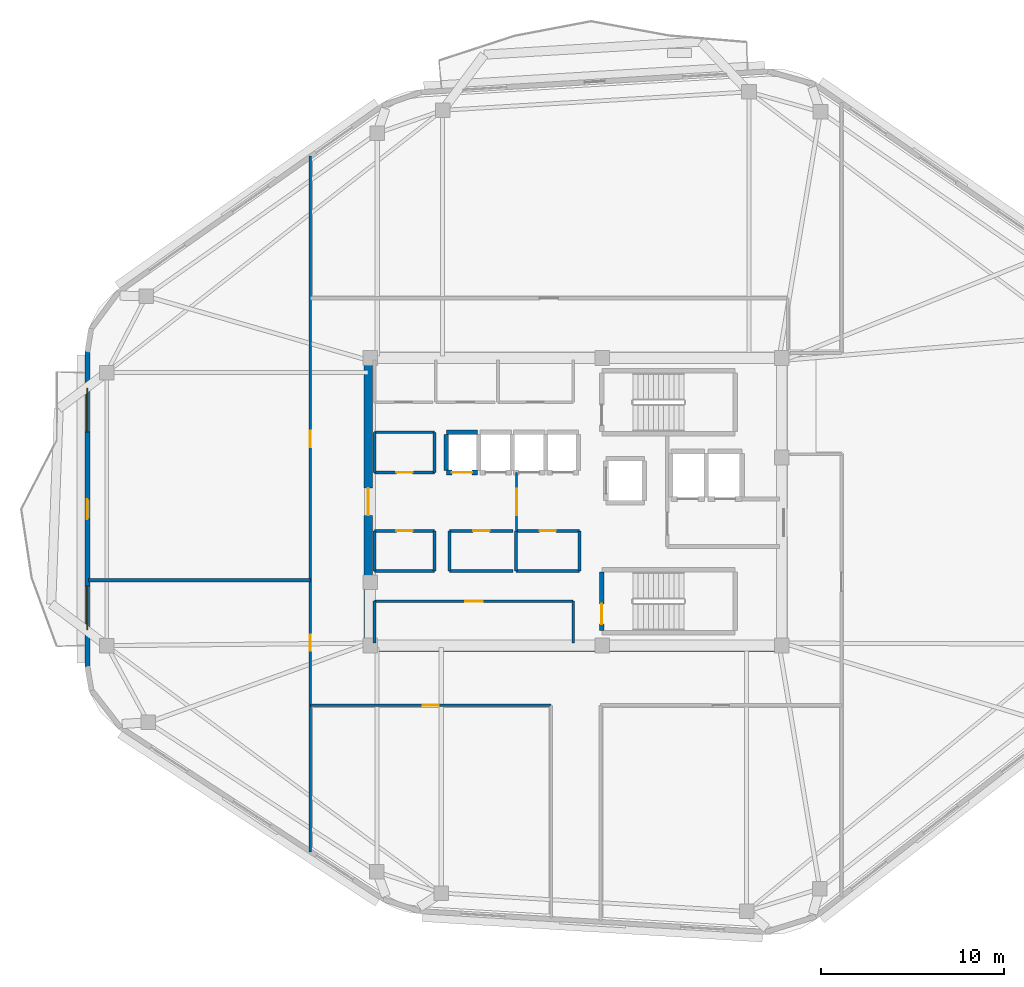
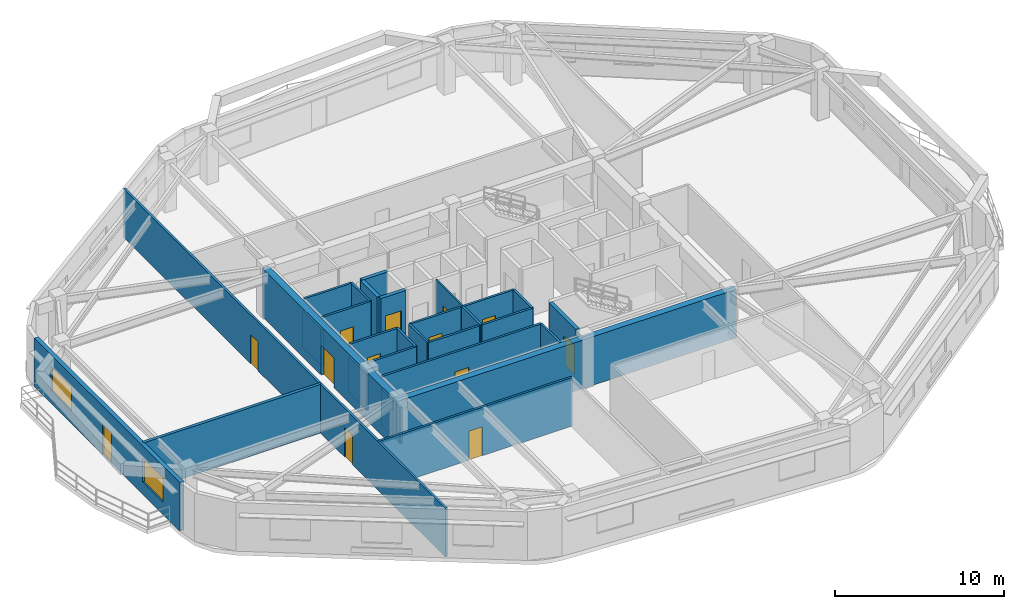
# One storey, part 3 of 9: 29 walls, 13 doors, 2 windows, 15 openings.
"""IFC4 building model written with IfcOpenShell, lengths in metres."""

from ifc_helpers import new_model, si_unit, direction, frame, frame_2d, origin, place, context, subcontext, project, spatial, rectangle, extrude, material, layer, layer_set, type_object, element, fill, save


model = new_model("IFC4")

# Units and contexts
model_context = context("Model", 3, precision=1e-05, world=origin(), true_north=direction((0.0, 1.0)))
body_context = subcontext(model_context, "Body", "Model", "MODEL_VIEW")
ifc_project = project(units=[si_unit("LENGTHUNIT", "METRE"), si_unit("AREAUNIT", "SQUARE_METRE"), si_unit("VOLUMEUNIT", "CUBIC_METRE"), si_unit("PLANEANGLEUNIT", "RADIAN"), si_unit("MASSUNIT", "GRAM", prefix="KILO")], contexts=[model_context])

# Site, building, storey
site_placement = place(None, origin())
site = spatial("IfcSite", under=ifc_project, at=site_placement, CompositionType="ELEMENT")
building_placement = place(site_placement, origin())
building = spatial("IfcBuilding", under=site, at=building_placement, Name="Zulverin Broadcast Headquarters", CompositionType="ELEMENT")
storey_placement = place(building_placement, frame((0.0, 0.0, 247.800048828125)))
storey = spatial("IfcBuildingStorey", under=building, at=storey_placement, Name="L63", CompositionType="ELEMENT", Elevation=247.800048828125)

# Walls
ifc_material_1 = material(Name="Acoustic drywall steel stud", Category="steel")
ifc_layer_1 = layer(ifc_material_1, 0.199951171875, Name="Acoustic drywall steel stud", Category="steel")
ifc_layer_set_1 = layer_set([ifc_layer_1], Name="Acoustic drywall steel stud")
wall_type_1 = type_object("IfcWallType", Name="WL-ACOU-200", PredefinedType="PARTITIONING", material=ifc_layer_set_1)
wall_1_placement = place(storey_placement, frame((10.304931640625, 20.89990234375, 0.0), z_axis=(0.0, 0.0, 1.0), x_axis=(1.0, 0.0, 0.0)))
element("IfcWall", 1, at=wall_1_placement, inside=storey, type_object=wall_type_1, Name="L63 Room Partition Wall RP-09", PredefinedType="PARTITIONING", context=body_context, shape_type="SweptSolid", body=[
    extrude(rectangle(XDim=12.14501953125, YDim=0.199951171875, at=frame_2d((6.072509765625, 0.0))), origin(), (0.0, 0.0, 1.0), 3.510009765625),
])
ifc_material_2 = material(Name="Concrete C50/60", Category="concrete")
ifc_layer_2 = layer(ifc_material_2, 0.449951171875, Name="Concrete C50/60", Category="concrete")
ifc_layer_set_2 = layer_set([ifc_layer_2], Name="Concrete C50/60")
wall_type_2 = type_object("IfcWallType", Name="WL-CORE-450", PredefinedType="SHEAR", material=ifc_layer_set_2)
wall_2_placement = place(storey_placement, frame((25.39990234375, 17.22509765625, 0.0), z_axis=(0.0, 0.0, 1.0), x_axis=(1.0, 0.0, 0.0)))
element("IfcWall", 2, at=wall_2_placement, inside=storey, type_object=wall_type_2, Name="L63 Core South Shear Wall", PredefinedType="SHEAR", context=body_context, shape_type="SweptSolid", body=[
    extrude(rectangle(XDim=23.2001953125, YDim=0.449951171875, at=frame_2d((11.60009765625, 0.0))), origin(), (0.0, 0.0, 1.0), 3.510009765625),
])

# Wall, opening, door
wall_3_placement = place(storey_placement, frame((25.625, 17.449951171875, 0.0), z_axis=(0.0, 0.0, 1.0), x_axis=(0.0, 1.0, 0.0)))
wall_3 = element("IfcWall", 3, at=wall_3_placement, inside=storey, type_object=wall_type_2, Name="L63 Core West Shear Wall", PredefinedType="SHEAR", context=body_context, shape_type="SweptSolid", body=[
    extrude(rectangle(XDim=15.5, YDim=0.449951171875, at=frame_2d((7.75, 0.0))), origin(), (0.0, 0.0, 1.0), 3.510009765625),
])
opening_1_placement = place(wall_3_placement, frame((7.0, 0.0, 0.0)))
opening_1 = element("IfcOpeningElement", 4, at=opening_1_placement, cuts=wall_3, Name="Opening D-L63-CW1", PredefinedType="OPENING", context=body_context, shape_type="SweptSolid", body=[
    extrude(rectangle(XDim=1.5, YDim=2.14990234375, at=frame_2d((0.75, 1.074951171875))), frame((0.0, 0.23486328125, 0.0), z_axis=(0.0, -1.0, 0.0), x_axis=(1.0, 0.0, 0.0)), (0.0, 0.0, 1.0), 0.469970703125),
])
ifc_material_3 = material(Name="Fire-rated glazed steel frame", Category="steel")
door_type_1 = type_object("IfcDoorType", Name="DR-COR-1500", OperationType="DOUBLE_DOOR_SINGLE_SWING", PredefinedType="DOOR", material=ifc_material_3)
door_1_placement = place(opening_1_placement, origin())
door_1 = element("IfcDoor", 5, at=door_1_placement, inside=storey, type_object=door_type_1, Name="L63 Central Lift Lobby West Portal Door", OperationType="DOUBLE_DOOR_SINGLE_SWING", OverallHeight=2.14990234375, OverallWidth=1.5, PredefinedType="DOOR", context=body_context, shape_type="SweptSolid", body=[
    extrude(rectangle(XDim=1.5, YDim=2.14990234375, at=frame_2d((0.75, 1.074951171875))), frame((0.0, 0.02490234375, 0.0), z_axis=(0.0, -1.0, 0.0), x_axis=(1.0, 0.0, 0.0)), (0.0, 0.0, 1.0), 0.050048828125),
])
fill(opening_1, door_1)

# Wall, openings, door, windows
ifc_material_4 = material(Name="Insulated pale-metal clad concrete spandrel C40/50", Category="concrete")
ifc_layer_3 = layer(ifc_material_4, 0.280029296875, Name="Insulated pale-metal clad concrete spandrel C40/50", Category="concrete")
ifc_layer_set_3 = layer_set([ifc_layer_3], Name="Insulated pale-metal clad concrete spandrel C40/50")
wall_type_3 = type_object("IfcWallType", Name="WL-EXT-280", PredefinedType="STANDARD", material=ifc_layer_set_3)
wall_4_placement = place(storey_placement, frame((10.239990234375, 33.42529296875, 0.0), z_axis=(0.0, 0.0, 1.0), x_axis=(0.0, -1.0, 0.0)))
wall_4 = element("IfcWall", 6, at=wall_4_placement, inside=storey, type_object=wall_type_3, Name="L63 Pale-Metal Clad Spandrel Wall 7", PredefinedType="STANDARD", context=body_context, shape_type="SweptSolid", body=[
    extrude(rectangle(XDim=17.256591796875, YDim=0.280029296875, at=frame_2d((8.62841796875, 0.0))), origin(), (0.0, 0.0, 1.0), 3.510009765625),
])
opening_2_placement = place(wall_4_placement, frame((8.078369140625, 0.0, 0.0)))
opening_2 = element("IfcOpeningElement", 7, at=opening_2_placement, cuts=wall_4, Name="Opening D-L63-TR7", PredefinedType="OPENING", context=body_context, shape_type="SweptSolid", body=[
    extrude(rectangle(XDim=1.10009765625, YDim=2.199951171875, at=frame_2d((0.550048828125, 1.10009765625))), frame((0.0, 0.14990234375, 0.0), z_axis=(0.0, -1.0, 0.0), x_axis=(1.0, 0.0, 0.0)), (0.0, 0.0, 1.0), 0.300048828125),
])
opening_3_placement = place(wall_4_placement, frame((2.009521484375, 0.0, 0.89990234375)))
opening_3 = element("IfcOpeningElement", 8, at=opening_3_placement, cuts=wall_4, Name="Opening W-L63-E71", PredefinedType="OPENING", context=body_context, shape_type="SweptSolid", body=[
    extrude(rectangle(XDim=2.39990234375, YDim=1.75, at=frame_2d((1.199951171875, 0.875))), frame((0.0, 0.14990234375, 0.0), z_axis=(0.0, -1.0, 0.0), x_axis=(1.0, 0.0, 0.0)), (0.0, 0.0, 1.0), 0.300048828125),
])
opening_4_placement = place(wall_4_placement, frame((12.84716796875, 0.0, 0.89990234375)))
opening_4 = element("IfcOpeningElement", 9, at=opening_4_placement, cuts=wall_4, Name="Opening W-L63-E72", PredefinedType="OPENING", context=body_context, shape_type="SweptSolid", body=[
    extrude(rectangle(XDim=2.39990234375, YDim=1.75, at=frame_2d((1.199951171875, 0.875))), frame((0.0, 0.14990234375, 0.0), z_axis=(0.0, -1.0, 0.0), x_axis=(1.0, 0.0, 0.0)), (0.0, 0.0, 1.0), 0.300048828125),
])
ifc_material_5 = material(Name="Thermally broken aluminium glazed", Category="aluminium")
door_type_2 = type_object("IfcDoorType", Name="DR-TERR-1100", OperationType="SINGLE_SWING_RIGHT", PredefinedType="DOOR", material=ifc_material_5)
door_2_placement = place(opening_2_placement, origin())
door_2 = element("IfcDoor", 10, at=door_2_placement, inside=storey, type_object=door_type_2, Name="L63 Planted Terrace Glazed Access Door 7", OperationType="SINGLE_SWING_RIGHT", OverallHeight=2.199951171875, OverallWidth=1.10009765625, PredefinedType="DOOR", context=body_context, shape_type="SweptSolid", body=[
    extrude(rectangle(XDim=1.10009765625, YDim=2.199951171875, at=frame_2d((0.550048828125, 1.10009765625))), frame((0.0, 0.02490234375, 0.0), z_axis=(0.0, -1.0, 0.0), x_axis=(1.0, 0.0, 0.0)), (0.0, 0.0, 1.0), 0.050048828125),
])
fill(opening_2, door_2)
ifc_material_6 = material(Name="Pale anodized aluminium frame with solar-control low-E double glazing", Category="aluminium")
window_type = type_object("IfcWindowType", Name="WIN-RIB-2400", PartitioningType="SINGLE_PANEL", PredefinedType="WINDOW", material=ifc_material_6)
window_1_placement = place(opening_3_placement, origin())
window_1 = element("IfcWindow", 11, at=window_1_placement, inside=storey, type_object=window_type, Name="L63 Ribbon Glazing Window 7 1", OverallHeight=1.75, OverallWidth=2.39990234375, PartitioningType="SINGLE_PANEL", PredefinedType="WINDOW", context=body_context, shape_type="SweptSolid", body=[
    extrude(rectangle(XDim=2.39990234375, YDim=1.75, at=frame_2d((1.199951171875, 0.875))), frame((0.0, 0.030029296875, 0.0), z_axis=(0.0, -1.0, 0.0), x_axis=(1.0, 0.0, 0.0)), (0.0, 0.0, 1.0), 0.06005859375),
])
fill(opening_3, window_1)
window_2_placement = place(opening_4_placement, origin())
window_2 = element("IfcWindow", 12, at=window_2_placement, inside=storey, type_object=window_type, Name="L63 Ribbon Glazing Window 7 2", OverallHeight=1.75, OverallWidth=2.39990234375, PartitioningType="SINGLE_PANEL", PredefinedType="WINDOW", context=body_context, shape_type="SweptSolid", body=[
    extrude(rectangle(XDim=2.39990234375, YDim=1.75, at=frame_2d((1.199951171875, 0.875))), frame((0.0, 0.030029296875, 0.0), z_axis=(0.0, -1.0, 0.0), x_axis=(1.0, 0.0, 0.0)), (0.0, 0.0, 1.0), 0.06005859375),
])
fill(opening_4, window_2)

# Wall, opening, door
ifc_material_7 = material(Name="Fire-rated acoustic laminated glass screen", Category="glass")
ifc_layer_4 = layer(ifc_material_7, 0.10009765625, Name="Fire-rated acoustic laminated glass screen", Category="glass")
ifc_layer_set_4 = layer_set([ifc_layer_4], Name="Fire-rated acoustic laminated glass screen")
wall_type_4 = type_object("IfcWallType", Name="WL-GLAZ-100", PredefinedType="PARTITIONING", material=ifc_layer_set_4)
wall_5_placement = place(storey_placement, frame((33.75, 23.60009765625, 0.0), z_axis=(0.0, 0.0, 1.0), x_axis=(0.0, 1.0, 0.0)))
wall_5 = element("IfcWall", 13, at=wall_5_placement, inside=storey, type_object=wall_type_4, Name="L63 Core Lobby Acoustic Screen", PredefinedType="PARTITIONING", context=body_context, shape_type="SweptSolid", body=[
    extrude(rectangle(XDim=3.199951171875, YDim=0.10009765625, at=frame_2d((1.60009765625, 0.0))), origin(), (0.0, 0.0, 1.0), 3.510009765625),
])
opening_5_placement = place(wall_5_placement, frame((0.85009765625, 0.0, 0.0)))
opening_5 = element("IfcOpeningElement", 14, at=opening_5_placement, cuts=wall_5, Name="Opening D-L63-CL1", PredefinedType="OPENING", context=body_context, shape_type="SweptSolid", body=[
    extrude(rectangle(XDim=1.449951171875, YDim=2.1201171875, at=frame_2d((0.72509765625, 1.06005859375))), frame((0.0, 0.06005859375, 0.0), z_axis=(0.0, -1.0, 0.0), x_axis=(1.0, 0.0, 0.0)), (0.0, 0.0, 1.0), 0.1201171875),
])
ifc_material_8 = material(Name="Fire-rated acoustic glazed double leaf", Category="glass")
door_type_3 = type_object("IfcDoorType", Name="DR-GLZ-1450", OperationType="DOUBLE_DOOR_SINGLE_SWING", PredefinedType="DOOR", material=ifc_material_8)
door_3_placement = place(opening_5_placement, origin())
door_3 = element("IfcDoor", 15, at=door_3_placement, inside=storey, type_object=door_type_3, Name="L63 Core Lobby Vestibule Door", OperationType="DOUBLE_DOOR_SINGLE_SWING", OverallHeight=2.1201171875, OverallWidth=1.449951171875, PredefinedType="DOOR", context=body_context, shape_type="SweptSolid", body=[
    extrude(rectangle(XDim=1.449951171875, YDim=2.1201171875, at=frame_2d((0.72509765625, 1.06005859375))), frame((0.0, 0.02490234375, 0.0), z_axis=(0.0, -1.0, 0.0), x_axis=(1.0, 0.0, 0.0)), (0.0, 0.0, 1.0), 0.050048828125),
])
fill(opening_5, door_3)

ifc_material_9 = material(Name="Fire-rated gypsum stud partition", Category="gypsum")
ifc_layer_5 = layer(ifc_material_9, 0.14990234375, Name="Fire-rated gypsum stud partition", Category="gypsum")
ifc_layer_set_5 = layer_set([ifc_layer_5], Name="Fire-rated gypsum stud partition")
wall_type_5 = type_object("IfcWallType", Name="WL-PART-150", PredefinedType="PARTITIONING", material=ifc_layer_set_5)
wall_6_placement = place(storey_placement, frame((25.969970703125, 19.75, 0.0), z_axis=(0.0, 0.0, 1.0), x_axis=(1.0, 0.0, 0.0)))
wall_6 = element("IfcWall", 16, at=wall_6_placement, inside=storey, type_object=wall_type_5, Name="L63 Core Female WC & Facilities Room Front Wall", PredefinedType="PARTITIONING", context=body_context, shape_type="SweptSolid", body=[
    extrude(rectangle(XDim=10.880126953125, YDim=0.14990234375, at=frame_2d((5.43994140625, 0.0))), origin(), (0.0, 0.0, 1.0), 3.510009765625),
])
opening_6_placement = place(wall_6_placement, frame((4.965087890625, 0.0, 0.0)))
opening_6 = element("IfcOpeningElement", 17, at=opening_6_placement, cuts=wall_6, Name="Opening D-L63-SC1", PredefinedType="OPENING", context=body_context, shape_type="SweptSolid", body=[
    extrude(rectangle(XDim=0.949951171875, YDim=2.10009765625, at=frame_2d((0.47509765625, 1.050048828125))), frame((0.0, 0.0849609375, 0.0), z_axis=(0.0, -1.0, 0.0), x_axis=(1.0, 0.0, 0.0)), (0.0, 0.0, 1.0), 0.169921875),
])
ifc_material_10 = material(Name="Fire-rated moisture-resistant laminate leaf", Category="wood")
door_type_4 = type_object("IfcDoorType", Name="DR-WC-950", OperationType="SINGLE_SWING_LEFT", PredefinedType="DOOR", material=ifc_material_10)
door_4_placement = place(opening_6_placement, origin())
door_4 = element("IfcDoor", 18, at=door_4_placement, inside=storey, type_object=door_type_4, Name="L63 Female WC & Facilities Room Door", OperationType="SINGLE_SWING_RIGHT", OverallHeight=2.10009765625, OverallWidth=0.949951171875, PredefinedType="DOOR", context=body_context, shape_type="SweptSolid", body=[
    extrude(rectangle(XDim=0.949951171875, YDim=2.10009765625, at=frame_2d((0.47509765625, 1.050048828125))), frame((0.0, 0.02490234375, 0.0), z_axis=(0.0, -1.0, 0.0), x_axis=(1.0, 0.0, 0.0)), (0.0, 0.0, 1.0), 0.050048828125),
])
fill(opening_6, door_4)

# Walls
wall_7_placement = place(storey_placement, frame((25.969970703125, 17.449951171875, 0.0), z_axis=(0.0, 0.0, 1.0), x_axis=(0.0, 1.0, 0.0)))
element("IfcWall", 19, at=wall_7_placement, inside=storey, type_object=wall_type_5, Name="L63 Core Female WC & Facilities Room West Wall", PredefinedType="PARTITIONING", context=body_context, shape_type="SweptSolid", body=[
    extrude(rectangle(XDim=2.300048828125, YDim=0.14990234375, at=frame_2d((1.14990234375, 0.0))), origin(), (0.0, 0.0, 1.0), 2.60986328125),
])
wall_8_placement = place(storey_placement, frame((36.85009765625, 17.449951171875, 0.0), z_axis=(0.0, 0.0, 1.0), x_axis=(0.0, 1.0, 0.0)))
element("IfcWall", 20, at=wall_8_placement, inside=storey, type_object=wall_type_5, Name="L63 Core Female WC & Facilities Room East Wall", PredefinedType="PARTITIONING", context=body_context, shape_type="SweptSolid", body=[
    extrude(rectangle(XDim=2.300048828125, YDim=0.14990234375, at=frame_2d((1.14990234375, 0.0))), origin(), (0.0, 0.0, 1.0), 3.510009765625),
])

# Wall, opening, door
wall_9_placement = place(storey_placement, frame((25.969970703125, 26.800048828125, 0.0), z_axis=(0.0, 0.0, 1.0), x_axis=(1.0, 0.0, 0.0)))
wall_9 = element("IfcWall", 21, at=wall_9_placement, inside=storey, type_object=wall_type_5, Name="L63 Core UPS Battery Store S Wall", PredefinedType="PARTITIONING", context=body_context, shape_type="SweptSolid", body=[
    extrude(rectangle(XDim=3.280029296875, YDim=0.14990234375, at=frame_2d((1.64013671875, 0.0))), origin(), (0.0, 0.0, 1.0), 3.510009765625),
])
opening_7_placement = place(wall_9_placement, frame((1.18994140625, 0.0, 0.0)))
opening_7 = element("IfcOpeningElement", 22, at=opening_7_placement, cuts=wall_9, Name="Opening D-L63-RCLN", PredefinedType="OPENING", context=body_context, shape_type="SweptSolid", body=[
    extrude(rectangle(XDim=0.89990234375, YDim=2.10009765625, at=frame_2d((0.449951171875, 1.050048828125))), frame((0.0, 0.0849609375, 0.0), z_axis=(0.0, -1.0, 0.0), x_axis=(1.0, 0.0, 0.0)), (0.0, 0.0, 1.0), 0.169921875),
])
ifc_material_11 = material(Name="Powder-coated steel access leaf", Category="steel")
door_type_5 = type_object("IfcDoorType", Name="DR-RISER-900", OperationType="SINGLE_SWING_LEFT", PredefinedType="DOOR", material=ifc_material_11)
door_5_placement = place(opening_7_placement, origin())
door_5 = element("IfcDoor", 23, at=door_5_placement, inside=storey, type_object=door_type_5, Name="L63 Core UPS Battery Store Door", OperationType="SINGLE_SWING_LEFT", OverallHeight=2.10009765625, OverallWidth=0.89990234375, PredefinedType="DOOR", context=body_context, shape_type="SweptSolid", body=[
    extrude(rectangle(XDim=0.89990234375, YDim=2.10009765625, at=frame_2d((0.449951171875, 1.050048828125))), frame((0.0, 0.02490234375, 0.0), z_axis=(0.0, -1.0, 0.0), x_axis=(1.0, 0.0, 0.0)), (0.0, 0.0, 1.0), 0.050048828125),
])
fill(opening_7, door_5)

# Walls
wall_10_placement = place(storey_placement, frame((25.969970703125, 29.0, 0.0), z_axis=(0.0, 0.0, 1.0), x_axis=(1.0, 0.0, 0.0)))
element("IfcWall", 24, at=wall_10_placement, inside=storey, type_object=wall_type_5, Name="L63 Core UPS Battery Store N Wall", PredefinedType="PARTITIONING", context=body_context, shape_type="SweptSolid", body=[
    extrude(rectangle(XDim=3.280029296875, YDim=0.14990234375, at=frame_2d((1.64013671875, 0.0))), origin(), (0.0, 0.0, 1.0), 3.510009765625),
])
wall_11_placement = place(storey_placement, frame((25.969970703125, 26.800048828125, 0.0), z_axis=(0.0, 0.0, 1.0), x_axis=(0.0, 1.0, 0.0)))
element("IfcWall", 25, at=wall_11_placement, inside=storey, type_object=wall_type_5, Name="L63 Core UPS Battery Store W Wall", PredefinedType="PARTITIONING", context=body_context, shape_type="SweptSolid", body=[
    extrude(rectangle(XDim=2.199951171875, YDim=0.14990234375, at=frame_2d((1.10009765625, 0.0))), origin(), (0.0, 0.0, 1.0), 2.60986328125),
])
wall_12_placement = place(storey_placement, frame((29.25, 26.800048828125, 0.0), z_axis=(0.0, 0.0, 1.0), x_axis=(0.0, 1.0, 0.0)))
element("IfcWall", 26, at=wall_12_placement, inside=storey, type_object=wall_type_5, Name="L63 Core UPS Battery Store E Wall", PredefinedType="PARTITIONING", context=body_context, shape_type="SweptSolid", body=[
    extrude(rectangle(XDim=2.199951171875, YDim=0.14990234375, at=frame_2d((1.10009765625, 0.0))), origin(), (0.0, 0.0, 1.0), 3.510009765625),
])
wall_13_placement = place(storey_placement, frame((25.969970703125, 21.39990234375, 0.0), z_axis=(0.0, 0.0, 1.0), x_axis=(1.0, 0.0, 0.0)))
element("IfcWall", 27, at=wall_13_placement, inside=storey, type_object=wall_type_5, Name="L63 Media Ingestion Server Room S Wall", PredefinedType="PARTITIONING", context=body_context, shape_type="SweptSolid", body=[
    extrude(rectangle(XDim=3.280029296875, YDim=0.14990234375, at=frame_2d((1.64013671875, 0.0))), origin(), (0.0, 0.0, 1.0), 3.510009765625),
])

# Wall, opening, door
wall_14_placement = place(storey_placement, frame((25.969970703125, 23.60009765625, 0.0), z_axis=(0.0, 0.0, 1.0), x_axis=(1.0, 0.0, 0.0)))
wall_14 = element("IfcWall", 28, at=wall_14_placement, inside=storey, type_object=wall_type_5, Name="L63 Media Ingestion Server Room N Wall", PredefinedType="PARTITIONING", context=body_context, shape_type="SweptSolid", body=[
    extrude(rectangle(XDim=3.280029296875, YDim=0.14990234375, at=frame_2d((1.64013671875, 0.0))), origin(), (0.0, 0.0, 1.0), 3.510009765625),
])
opening_8_placement = place(wall_14_placement, frame((1.18994140625, 0.0, 0.0)))
opening_8 = element("IfcOpeningElement", 29, at=opening_8_placement, cuts=wall_14, Name="Opening D-L63-RCLS", PredefinedType="OPENING", context=body_context, shape_type="SweptSolid", body=[
    extrude(rectangle(XDim=0.89990234375, YDim=2.10009765625, at=frame_2d((0.449951171875, 1.050048828125))), frame((0.0, 0.0849609375, 0.0), z_axis=(0.0, -1.0, 0.0), x_axis=(1.0, 0.0, 0.0)), (0.0, 0.0, 1.0), 0.169921875),
])
door_6_placement = place(opening_8_placement, origin())
door_6 = element("IfcDoor", 30, at=door_6_placement, inside=storey, type_object=door_type_5, Name="L63 Media Ingestion Server Room Door", OperationType="SINGLE_SWING_RIGHT", OverallHeight=2.10009765625, OverallWidth=0.89990234375, PredefinedType="DOOR", context=body_context, shape_type="SweptSolid", body=[
    extrude(rectangle(XDim=0.89990234375, YDim=2.10009765625, at=frame_2d((0.449951171875, 1.050048828125))), frame((0.0, 0.02490234375, 0.0), z_axis=(0.0, -1.0, 0.0), x_axis=(1.0, 0.0, 0.0)), (0.0, 0.0, 1.0), 0.050048828125),
])
fill(opening_8, door_6)

# Walls
wall_15_placement = place(storey_placement, frame((25.969970703125, 21.39990234375, 0.0), z_axis=(0.0, 0.0, 1.0), x_axis=(0.0, 1.0, 0.0)))
element("IfcWall", 31, at=wall_15_placement, inside=storey, type_object=wall_type_5, Name="L63 Media Ingestion Server Room W Wall", PredefinedType="PARTITIONING", context=body_context, shape_type="SweptSolid", body=[
    extrude(rectangle(XDim=2.2001953125, YDim=0.14990234375, at=frame_2d((1.10009765625, 0.0))), origin(), (0.0, 0.0, 1.0), 2.60986328125),
])
wall_16_placement = place(storey_placement, frame((29.25, 21.39990234375, 0.0), z_axis=(0.0, 0.0, 1.0), x_axis=(0.0, 1.0, 0.0)))
element("IfcWall", 32, at=wall_16_placement, inside=storey, type_object=wall_type_5, Name="L63 Media Ingestion Server Room E Wall", PredefinedType="PARTITIONING", context=body_context, shape_type="SweptSolid", body=[
    extrude(rectangle(XDim=2.2001953125, YDim=0.14990234375, at=frame_2d((1.10009765625, 0.0))), origin(), (0.0, 0.0, 1.0), 3.510009765625),
])
wall_17_placement = place(storey_placement, frame((30.080078125, 21.39990234375, 0.0), z_axis=(0.0, 0.0, 1.0), x_axis=(1.0, 0.0, 0.0)))
element("IfcWall", 33, at=wall_17_placement, inside=storey, type_object=wall_type_5, Name="L63 High-Zone Archive Vault Store S Wall", PredefinedType="PARTITIONING", context=body_context, shape_type="SweptSolid", body=[
    extrude(rectangle(XDim=3.47998046875, YDim=0.14990234375, at=frame_2d((1.739990234375, 0.0))), origin(), (0.0, 0.0, 1.0), 3.510009765625),
])

# Wall, opening, door
wall_18_placement = place(storey_placement, frame((30.080078125, 23.60009765625, 0.0), z_axis=(0.0, 0.0, 1.0), x_axis=(1.0, 0.0, 0.0)))
wall_18 = element("IfcWall", 34, at=wall_18_placement, inside=storey, type_object=wall_type_5, Name="L63 High-Zone Archive Vault Store N Wall", PredefinedType="PARTITIONING", context=body_context, shape_type="SweptSolid", body=[
    extrude(rectangle(XDim=3.47998046875, YDim=0.14990234375, at=frame_2d((1.739990234375, 0.0))), origin(), (0.0, 0.0, 1.0), 3.510009765625),
])
opening_9_placement = place(wall_18_placement, frame((1.2900390625, 0.0, 0.0)))
opening_9 = element("IfcOpeningElement", 35, at=opening_9_placement, cuts=wall_18, Name="Opening D-L63-RM1", PredefinedType="OPENING", context=body_context, shape_type="SweptSolid", body=[
    extrude(rectangle(XDim=0.89990234375, YDim=2.10009765625, at=frame_2d((0.449951171875, 1.050048828125))), frame((0.0, 0.0849609375, 0.0), z_axis=(0.0, -1.0, 0.0), x_axis=(1.0, 0.0, 0.0)), (0.0, 0.0, 1.0), 0.169921875),
])
door_7_placement = place(opening_9_placement, origin())
door_7 = element("IfcDoor", 36, at=door_7_placement, inside=storey, type_object=door_type_5, Name="L63 High-Zone Archive Vault Store Door", OperationType="SINGLE_SWING_LEFT", OverallHeight=2.10009765625, OverallWidth=0.89990234375, PredefinedType="DOOR", context=body_context, shape_type="SweptSolid", body=[
    extrude(rectangle(XDim=0.89990234375, YDim=2.10009765625, at=frame_2d((0.449951171875, 1.050048828125))), frame((0.0, 0.02490234375, 0.0), z_axis=(0.0, -1.0, 0.0), x_axis=(1.0, 0.0, 0.0)), (0.0, 0.0, 1.0), 0.050048828125),
])
fill(opening_9, door_7)

# Walls
wall_19_placement = place(storey_placement, frame((30.080078125, 21.39990234375, 0.0), z_axis=(0.0, 0.0, 1.0), x_axis=(0.0, 1.0, 0.0)))
element("IfcWall", 37, at=wall_19_placement, inside=storey, type_object=wall_type_5, Name="L63 High-Zone Archive Vault Store W Wall", PredefinedType="PARTITIONING", context=body_context, shape_type="SweptSolid", body=[
    extrude(rectangle(XDim=2.2001953125, YDim=0.14990234375, at=frame_2d((1.10009765625, 0.0))), origin(), (0.0, 0.0, 1.0), 3.510009765625),
])
wall_20_placement = place(storey_placement, frame((33.719970703125, 21.39990234375, 0.0), z_axis=(0.0, 0.0, 1.0), x_axis=(1.0, 0.0, 0.0)))
element("IfcWall", 38, at=wall_20_placement, inside=storey, type_object=wall_type_5, Name="L63 Executive Floor Pantry Store S Wall", PredefinedType="PARTITIONING", context=body_context, shape_type="SweptSolid", body=[
    extrude(rectangle(XDim=3.47998046875, YDim=0.14990234375, at=frame_2d((1.739990234375, 0.0))), origin(), (0.0, 0.0, 1.0), 3.510009765625),
])

# Wall, opening, door
wall_21_placement = place(storey_placement, frame((33.719970703125, 23.60009765625, 0.0), z_axis=(0.0, 0.0, 1.0), x_axis=(1.0, 0.0, 0.0)))
wall_21 = element("IfcWall", 39, at=wall_21_placement, inside=storey, type_object=wall_type_5, Name="L63 Executive Floor Pantry Store N Wall", PredefinedType="PARTITIONING", context=body_context, shape_type="SweptSolid", body=[
    extrude(rectangle(XDim=3.47998046875, YDim=0.14990234375, at=frame_2d((1.739990234375, 0.0))), origin(), (0.0, 0.0, 1.0), 3.510009765625),
])
opening_10_placement = place(wall_21_placement, frame((1.2900390625, 0.0, 0.0)))
opening_10 = element("IfcOpeningElement", 40, at=opening_10_placement, cuts=wall_21, Name="Opening D-L63-RM2", PredefinedType="OPENING", context=body_context, shape_type="SweptSolid", body=[
    extrude(rectangle(XDim=0.89990234375, YDim=2.10009765625, at=frame_2d((0.449951171875, 1.050048828125))), frame((0.0, 0.0849609375, 0.0), z_axis=(0.0, -1.0, 0.0), x_axis=(1.0, 0.0, 0.0)), (0.0, 0.0, 1.0), 0.169921875),
])
door_8_placement = place(opening_10_placement, origin())
door_8 = element("IfcDoor", 41, at=door_8_placement, inside=storey, type_object=door_type_5, Name="L63 Executive Floor Pantry Store Door", OperationType="SINGLE_SWING_RIGHT", OverallHeight=2.10009765625, OverallWidth=0.89990234375, PredefinedType="DOOR", context=body_context, shape_type="SweptSolid", body=[
    extrude(rectangle(XDim=0.89990234375, YDim=2.10009765625, at=frame_2d((0.449951171875, 1.050048828125))), frame((0.0, 0.02490234375, 0.0), z_axis=(0.0, -1.0, 0.0), x_axis=(1.0, 0.0, 0.0)), (0.0, 0.0, 1.0), 0.050048828125),
])
fill(opening_10, door_8)

# Walls
for number, where, z_axis, x_axis, name in (
    (42, (33.719970703125, 21.39990234375, 0.0), (0.0, 0.0, 1.0), (0.0, 1.0, 0.0), "L63 Executive Floor Pantry Store W Wall"),
    (43, (37.199951171875, 21.39990234375, 0.0), (0.0, 0.0, 1.0), (0.0, 1.0, 0.0), "L63 Executive Floor Pantry Store E Wall"),
):
    element("IfcWall", number, at=place(storey_placement, frame(where, z_axis=z_axis, x_axis=x_axis)), inside=storey, type_object=wall_type_5, Name=name, PredefinedType="PARTITIONING", context=body_context, shape_type="SweptSolid", body=[
        extrude(rectangle(XDim=2.2001953125, YDim=0.14990234375, at=frame_2d((1.10009765625, 0.0))), origin(), (0.0, 0.0, 1.0), 3.510009765625),
    ])

# Wall, openings, doors
wall_22_placement = place(storey_placement, frame((22.449951171875, 6.019775390625, 0.0), z_axis=(0.0, 0.0, 1.0), x_axis=(0.0, 1.0, 0.0)))
wall_22 = element("IfcWall", 44, at=wall_22_placement, inside=storey, type_object=wall_type_5, Name="L63 Gallery Partition Wall CG-06", PredefinedType="PARTITIONING", context=body_context, shape_type="SweptSolid", body=[
    extrude(rectangle(XDim=38.106201171875, YDim=0.14990234375, at=frame_2d((19.05322265625, 0.0))), origin(), (0.0, 0.0, 1.0), 3.510009765625),
])
opening_11_placement = place(wall_22_placement, frame((11.00537109375, 0.0, 0.0)))
opening_11 = element("IfcOpeningElement", 45, at=opening_11_placement, cuts=wall_22, Name="Opening D-L63-04", PredefinedType="OPENING", context=body_context, shape_type="SweptSolid", body=[
    extrude(rectangle(XDim=0.89990234375, YDim=2.10009765625, at=frame_2d((0.449951171875, 1.050048828125))), frame((0.0, 0.0849609375, 0.0), z_axis=(0.0, -1.0, 0.0), x_axis=(1.0, 0.0, 0.0)), (0.0, 0.0, 1.0), 0.169921875),
])
opening_12_placement = place(wall_22_placement, frame((22.1552734375, 0.0, 0.0)))
opening_12 = element("IfcOpeningElement", 46, at=opening_12_placement, cuts=wall_22, Name="Opening D-L63-05", PredefinedType="OPENING", context=body_context, shape_type="SweptSolid", body=[
    extrude(rectangle(XDim=0.89990234375, YDim=2.10009765625, at=frame_2d((0.449951171875, 1.050048828125))), frame((0.0, 0.0849609375, 0.0), z_axis=(0.0, -1.0, 0.0), x_axis=(1.0, 0.0, 0.0)), (0.0, 0.0, 1.0), 0.169921875),
])
ifc_material_12 = material(Name="Fire-rated hardwood veneer timber leaf", Category="wood")
door_type_6 = type_object("IfcDoorType", Name="DR-ROOM-900", OperationType="SINGLE_SWING_RIGHT", PredefinedType="DOOR", material=ifc_material_12)
door_9_placement = place(opening_11_placement, origin())
door_9 = element("IfcDoor", 47, at=door_9_placement, inside=storey, type_object=door_type_6, Name="L63 Catering Pantry Door", OperationType="SINGLE_SWING_LEFT", OverallHeight=2.10009765625, OverallWidth=0.89990234375, PredefinedType="DOOR", context=body_context, shape_type="SweptSolid", body=[
    extrude(rectangle(XDim=0.89990234375, YDim=2.10009765625, at=frame_2d((0.449951171875, 1.050048828125))), frame((0.0, 0.02490234375, 0.0), z_axis=(0.0, -1.0, 0.0), x_axis=(1.0, 0.0, 0.0)), (0.0, 0.0, 1.0), 0.050048828125),
])
fill(opening_11, door_9)
door_10_placement = place(opening_12_placement, origin())
door_10 = element("IfcDoor", 48, at=door_10_placement, inside=storey, type_object=door_type_6, Name="L63 Diplomatic Reception Foyer Door", OperationType="SINGLE_SWING_RIGHT", OverallHeight=2.10009765625, OverallWidth=0.89990234375, PredefinedType="DOOR", context=body_context, shape_type="SweptSolid", body=[
    extrude(rectangle(XDim=0.89990234375, YDim=2.10009765625, at=frame_2d((0.449951171875, 1.050048828125))), frame((0.0, 0.02490234375, 0.0), z_axis=(0.0, -1.0, 0.0), x_axis=(1.0, 0.0, 0.0)), (0.0, 0.0, 1.0), 0.050048828125),
])
fill(opening_12, door_10)

# Wall, opening, door
wall_23_placement = place(storey_placement, frame((22.449951171875, 14.050048828125, 0.0), z_axis=(0.0, 0.0, 1.0), x_axis=(1.0, 0.0, 0.0)))
wall_23 = element("IfcWall", 49, at=wall_23_placement, inside=storey, type_object=wall_type_5, Name="L63 Gallery Partition Wall CG-07", PredefinedType="PARTITIONING", context=body_context, shape_type="SweptSolid", body=[
    extrude(rectangle(XDim=13.199951171875, YDim=0.14990234375, at=frame_2d((6.60009765625, 0.0))), origin(), (0.0, 0.0, 1.0), 3.510009765625),
])
opening_13_placement = place(wall_23_placement, frame((6.14990234375, 0.0, 0.0)))
opening_13 = element("IfcOpeningElement", 50, at=opening_13_placement, cuts=wall_23, Name="Opening D-L63-02", PredefinedType="OPENING", context=body_context, shape_type="SweptSolid", body=[
    extrude(rectangle(XDim=0.89990234375, YDim=2.10009765625, at=frame_2d((0.449951171875, 1.050048828125))), frame((0.0, 0.0849609375, 0.0), z_axis=(0.0, -1.0, 0.0), x_axis=(1.0, 0.0, 0.0)), (0.0, 0.0, 1.0), 0.169921875),
])
door_11_placement = place(opening_13_placement, origin())
door_11 = element("IfcDoor", 51, at=door_11_placement, inside=storey, type_object=door_type_6, Name="L63 Executive Boardroom Door", OperationType="SINGLE_SWING_LEFT", OverallHeight=2.10009765625, OverallWidth=0.89990234375, PredefinedType="DOOR", context=body_context, shape_type="SweptSolid", body=[
    extrude(rectangle(XDim=0.89990234375, YDim=2.10009765625, at=frame_2d((0.449951171875, 1.050048828125))), frame((0.0, 0.02490234375, 0.0), z_axis=(0.0, -1.0, 0.0), x_axis=(1.0, 0.0, 0.0)), (0.0, 0.0, 1.0), 0.050048828125),
])
fill(opening_13, door_11)

ifc_layer_6 = layer(ifc_material_2, 0.25, Name="Concrete C50/60", Category="concrete")
ifc_layer_set_6 = layer_set([ifc_layer_6], Name="Concrete C50/60")
wall_type_6 = type_object("IfcWallType", Name="WL-SHAFT-250", PredefinedType="SHEAR", material=ifc_layer_set_6)
wall_24_placement = place(storey_placement, frame((38.425048828125, 18.14990234375, 0.0), z_axis=(0.0, 0.0, 1.0), x_axis=(0.0, 1.0, 0.0)))
wall_24 = element("IfcWall", 52, at=wall_24_placement, inside=storey, type_object=wall_type_6, Name="L63 ST-2 Enclosure Wall W", PredefinedType="SHEAR", context=body_context, shape_type="SweptSolid", body=[
    extrude(rectangle(XDim=3.2001953125, YDim=0.25, at=frame_2d((1.60009765625, 0.0))), origin(), (0.0, 0.0, 1.0), 3.510009765625),
])
opening_14_placement = place(wall_24_placement, frame((0.35009765625, 0.0, 0.0)))
opening_14 = element("IfcOpeningElement", 53, at=opening_14_placement, cuts=wall_24, Name="Opening D-L63-ST-2", PredefinedType="OPENING", context=body_context, shape_type="SweptSolid", body=[
    extrude(rectangle(XDim=1.10009765625, YDim=2.14990234375, at=frame_2d((0.550048828125, 1.074951171875))), frame((0.0, 0.135009765625, 0.0), z_axis=(0.0, -1.0, 0.0), x_axis=(1.0, 0.0, 0.0)), (0.0, 0.0, 1.0), 0.27001953125),
])
ifc_material_13 = material(Name="Fire-rated steel leaf and frame", Category="steel")
door_type_7 = type_object("IfcDoorType", Name="DR-STAIR-1100", OperationType="SINGLE_SWING_LEFT", PredefinedType="DOOR", material=ifc_material_13)
door_12_placement = place(opening_14_placement, origin())
door_12 = element("IfcDoor", 54, at=door_12_placement, inside=storey, type_object=door_type_7, Name="L63 Exit Stair ST-2 Fire Door", OperationType="SINGLE_SWING_RIGHT", OverallHeight=2.14990234375, OverallWidth=1.10009765625, PredefinedType="DOOR", context=body_context, shape_type="SweptSolid", body=[
    extrude(rectangle(XDim=1.10009765625, YDim=2.14990234375, at=frame_2d((0.550048828125, 1.074951171875))), frame((0.0, 0.02490234375, 0.0), z_axis=(0.0, -1.0, 0.0), x_axis=(1.0, 0.0, 0.0)), (0.0, 0.0, 1.0), 0.050048828125),
])
fill(opening_14, door_12)

wall_25_placement = place(storey_placement, frame((29.89990234375, 26.800048828125, 0.0), z_axis=(0.0, 0.0, 1.0), x_axis=(1.0, 0.0, 0.0)))
wall_25 = element("IfcWall", 55, at=wall_25_placement, inside=storey, type_object=wall_type_6, Name="L63 Lift PL-H1 Shaft Wall S", PredefinedType="SHEAR", context=body_context, shape_type="SweptSolid", body=[
    extrude(rectangle(XDim=1.72021484375, YDim=0.25, at=frame_2d((0.860107421875, 0.0))), origin(), (0.0, 0.0, 1.0), 3.510009765625),
])
opening_15_placement = place(wall_25_placement, frame((0.31005859375, 0.0, 0.0)))
opening_15 = element("IfcOpeningElement", 56, at=opening_15_placement, cuts=wall_25, Name="Opening LD-PL-H1-L63", PredefinedType="OPENING", context=body_context, shape_type="SweptSolid", body=[
    extrude(rectangle(XDim=1.10009765625, YDim=2.14990234375, at=frame_2d((0.550048828125, 1.074951171875))), frame((0.0, 0.135009765625, 0.0), z_axis=(0.0, -1.0, 0.0), x_axis=(1.0, 0.0, 0.0)), (0.0, 0.0, 1.0), 0.27001953125),
])
ifc_material_14 = material(Name="Brushed stainless steel landing", Category="steel")
door_type_8 = type_object("IfcDoorType", Name="LD-PASS-1100", OperationType="DOUBLE_DOOR_SLIDING", PredefinedType="DOOR", material=ifc_material_14)
door_13_placement = place(opening_15_placement, origin())
door_13 = element("IfcDoor", 57, at=door_13_placement, inside=storey, type_object=door_type_8, Name="L63 Lift PL-H1 Sliding Landing Door", OperationType="DOUBLE_DOOR_SLIDING", OverallHeight=2.14990234375, OverallWidth=1.10009765625, PredefinedType="DOOR", context=body_context, shape_type="SweptSolid", body=[
    extrude(rectangle(XDim=1.10009765625, YDim=2.14990234375, at=frame_2d((0.550048828125, 1.074951171875))), frame((0.0, 0.02490234375, 0.0), z_axis=(0.0, -1.0, 0.0), x_axis=(1.0, 0.0, 0.0)), (0.0, 0.0, 1.0), 0.050048828125),
])
fill(opening_15, door_13)

# Walls
wall_26_placement = place(storey_placement, frame((29.89990234375, 29.0, 0.0), z_axis=(0.0, 0.0, 1.0), x_axis=(1.0, 0.0, 0.0)))
element("IfcWall", 58, at=wall_26_placement, inside=storey, type_object=wall_type_6, Name="L63 Lift PL-H1 Shaft Wall N", PredefinedType="SHEAR", context=body_context, shape_type="SweptSolid", body=[
    extrude(rectangle(XDim=1.72021484375, YDim=0.25, at=frame_2d((0.860107421875, 0.0))), origin(), (0.0, 0.0, 1.0), 3.510009765625),
])
wall_27_placement = place(storey_placement, frame((29.89990234375, 26.919921875, 0.0), z_axis=(0.0, 0.0, 1.0), x_axis=(0.0, 1.0, 0.0)))
element("IfcWall", 59, at=wall_27_placement, inside=storey, type_object=wall_type_6, Name="L63 Lift PL-H1 Shaft Wall W", PredefinedType="SHEAR", context=body_context, shape_type="SweptSolid", body=[
    extrude(rectangle(XDim=1.9599609375, YDim=0.25, at=frame_2d((0.97998046875, 0.0))), origin(), (0.0, 0.0, 1.0), 3.510009765625),
])

save(model, "model.ifc")
